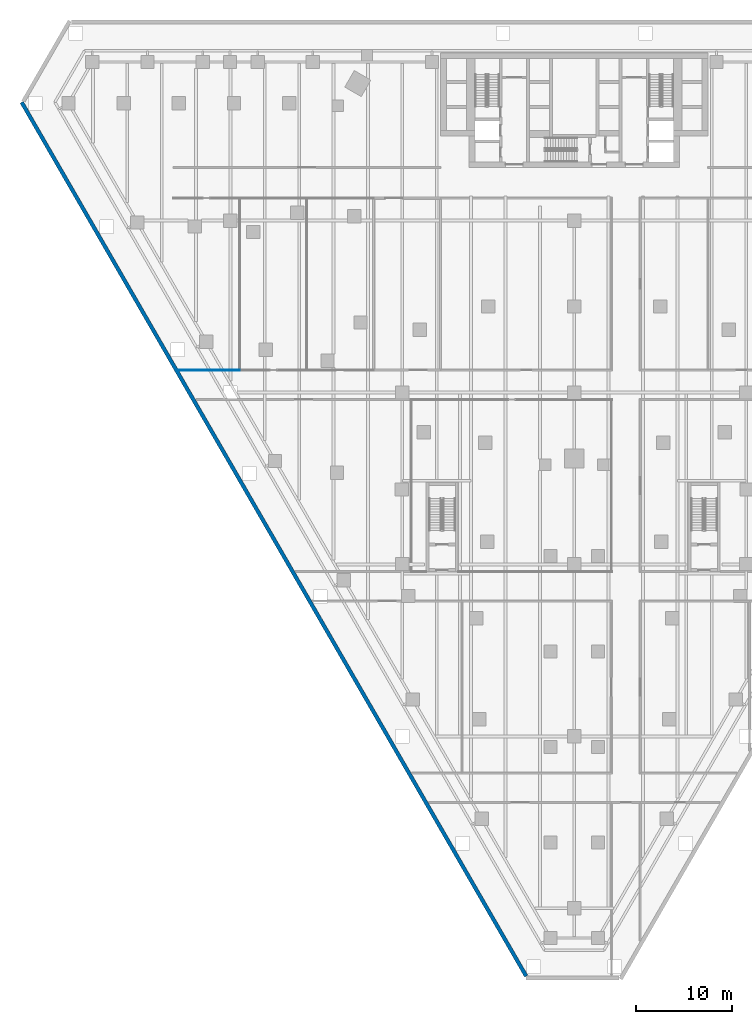
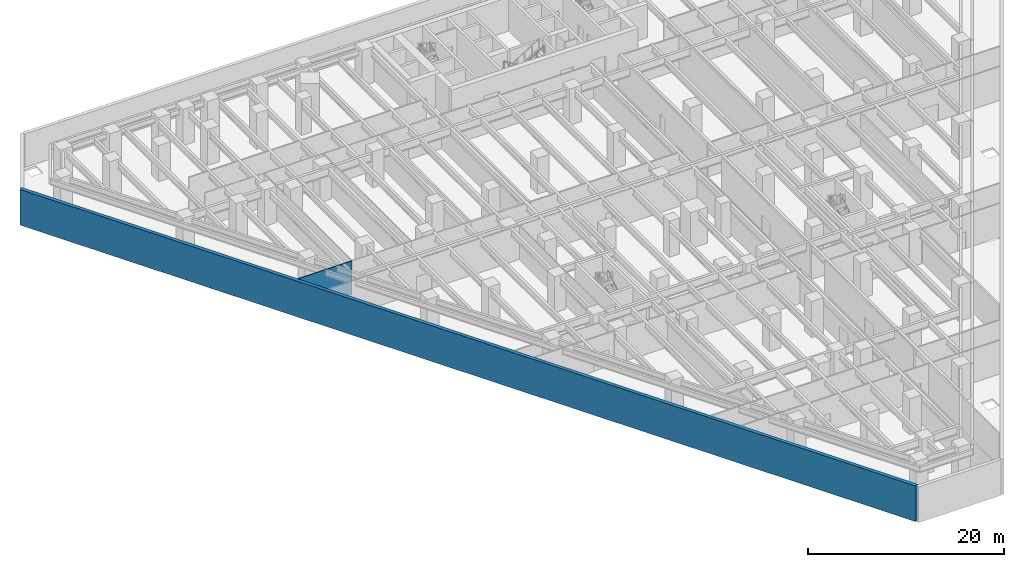
# One storey, part 9 of 20: 2 walls.
"""IFC4 building model written with IfcOpenShell, lengths in metres."""

from ifc_helpers import new_model, si_unit, direction, frame, frame_2d, origin, place, context, subcontext, project, spatial, rectangle, extrude, material, layer, layer_set, type_object, element, save


model = new_model("IFC4")

# Units and contexts
model_context = context("Model", 3, precision=1e-05, world=origin(), true_north=direction((0.0, 1.0)))
body_context = subcontext(model_context, "Body", "Model", "MODEL_VIEW")
ifc_project = project(units=[si_unit("LENGTHUNIT", "METRE"), si_unit("AREAUNIT", "SQUARE_METRE"), si_unit("VOLUMEUNIT", "CUBIC_METRE"), si_unit("PLANEANGLEUNIT", "RADIAN"), si_unit("MASSUNIT", "GRAM", prefix="KILO")], contexts=[model_context])

# Site, building, storey
site_placement = place(None, origin())
site = spatial("IfcSite", under=ifc_project, at=site_placement, CompositionType="ELEMENT")
building_placement = place(site_placement, origin())
building = spatial("IfcBuilding", under=site, at=building_placement, Name="Aloe Facet Convention Tower", CompositionType="ELEMENT")
storey_placement = place(building_placement, frame((0.0, 0.0, -4.5)))
storey = spatial("IfcBuildingStorey", under=building, at=storey_placement, Name="B1", CompositionType="ELEMENT", Elevation=-4.5)

# Walls
ifc_material_1 = material(Name="Gypsum board partition on steel studs, moisture resistant", Category="steel")
ifc_layer_1 = layer(ifc_material_1, 0.10009765625)
ifc_layer_set_1 = layer_set([ifc_layer_1], Name="IN-POD-W-WET")
wall_type_1 = type_object("IfcWallType", Name="IN-POD-W-WET", PredefinedType="PARTITIONING", material=ifc_layer_set_1)
wall_1_placement = place(storey_placement, frame((38.61572265625, 101.35009765625, 0.0), z_axis=(0.0, 0.0, 1.0), x_axis=(1.0, 0.0, 0.0)))
element("IfcWall", 1, at=wall_1_placement, inside=storey, type_object=wall_type_1, Name="Partition B1-W031", PredefinedType="PARTITIONING", context=body_context, shape_type="SweptSolid", body=[
    extrude(rectangle(XDim=6.38427734375, YDim=0.10009765625, at=frame_2d((3.192138671875, 0.0))), origin(), (0.0, 0.0, 1.0), 4.199951171875),
])
ifc_material_2 = material(Name="Concrete C40/50", Category="concrete")
ifc_layer_2 = layer(ifc_material_2, 0.39990234375)
ifc_layer_set_2 = layer_set([ifc_layer_2], Name="SF-RW-400")
wall_type_2 = type_object("IfcWallType", Name="SF-RW-400", PredefinedType="SOLIDWALL", material=ifc_layer_set_2)
wall_2_placement = place(storey_placement, frame((74.970947265625, 37.881103515625, -0.25), z_axis=(0.0, 0.0, 1.0), x_axis=(-0.499999742059, 0.866025552707, 0.0)))
element("IfcWall", 2, at=wall_2_placement, inside=storey, type_object=wall_type_2, Name="RETAINING WALL B1-03", PredefinedType="SOLIDWALL", context=body_context, shape_type="SweptSolid", body=[
    extrude(rectangle(XDim=105.65869140625, YDim=0.39990234375, at=frame_2d((52.829345703125, 0.0))), origin(), (0.0, 0.0, 1.0), 4.449951171875),
])

save(model, "model.ifc")
